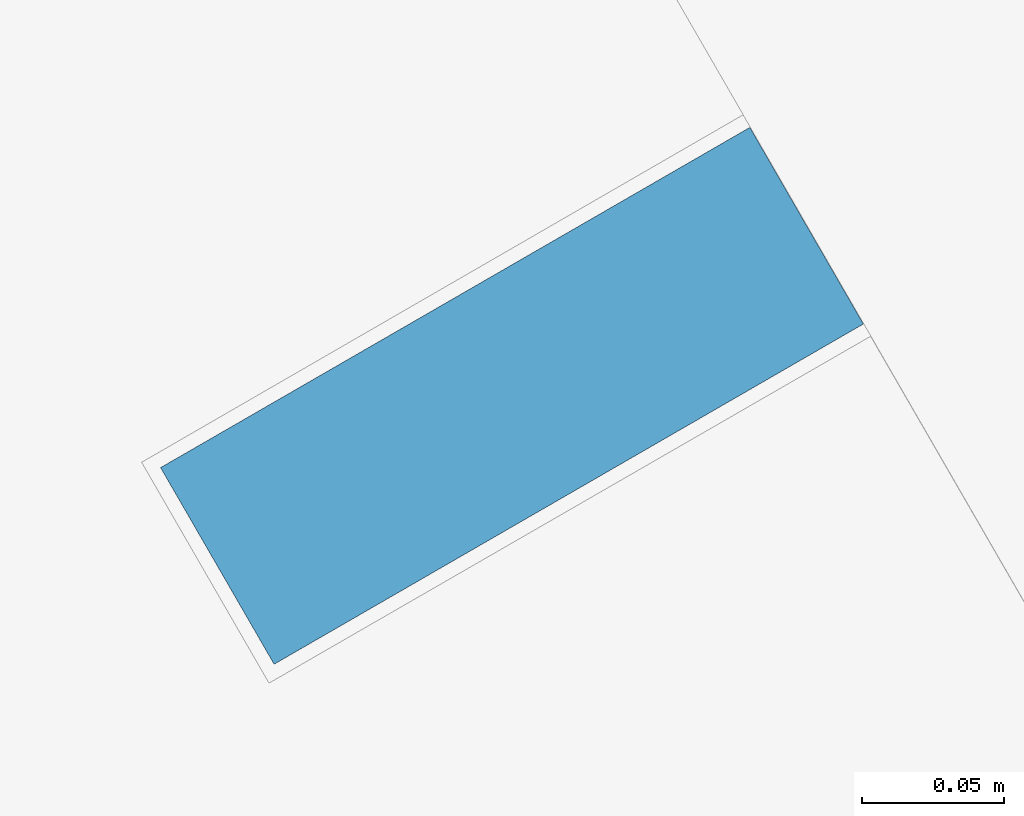
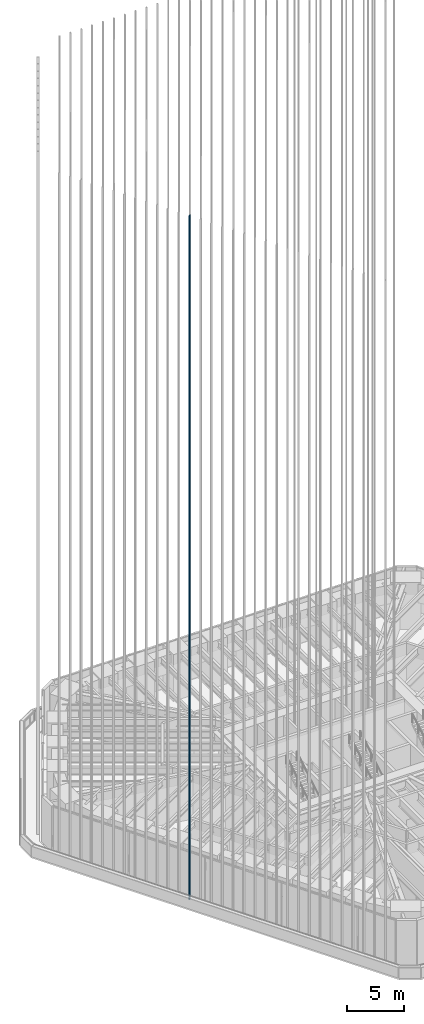
# One storey, part 51 of 228: 1 member, 1 element without a shape of its own.
"""IFC4 building model written with IfcOpenShell, lengths in metres."""

import ifcopenshell
import ifcopenshell.guid

model = None  # the IFC model being written
_history = None  # IfcOwnerHistory: only IFC2X3 demands one
_inside = {}  # id of a spatial element -> (the spatial element, [elements in it])
_under = {}  # id of a project, library or spatial element -> (it, [spatial elements below it])
_declared = {}  # id of a project -> (the project, [libraries it declares])
_typed = {}  # id of a type object -> (the type object, [elements of that type])
_made_of = {}  # id of a material, layer set ... -> (it, [elements and type objects made of it])


def new_model(schema):
    """Start an empty IFC model of exactly this schema.

    Asked for "IFC4X3", IfcOpenShell would pick the latest addendum, in which some entities
    have other attributes; the version numbers below select the first issue.
    IFC2X3 requires an IfcOwnerHistory on every rooted entity: one is made here for all.
    """
    global model, _history
    if schema == "IFC4X3":
        model = ifcopenshell.file(schema_version=(4, 3, 0, 0))
    else:
        model = ifcopenshell.file(schema=schema)
    _inside.clear()
    _under.clear()
    _declared.clear()
    _typed.clear()
    _made_of.clear()
    _history = None
    if model.schema == "IFC2X3":
        org = make("IfcOrganization", Name="unknown")
        user = make(
            "IfcPersonAndOrganization",
            ThePerson=make("IfcPerson", FamilyName="unknown"),
            TheOrganization=org,
        )
        app = make(
            "IfcApplication",
            ApplicationDeveloper=org,
            Version="unknown",
            ApplicationFullName="unknown",
            ApplicationIdentifier="unknown",
        )
        _history = make(
            "IfcOwnerHistory",
            OwningUser=user,
            OwningApplication=app,
            ChangeAction="ADDED",
            CreationDate=0,
        )
    return model


def make(cls, **values):
    """One entity of the class cls with the attributes given. An attribute that is None is left unset."""
    return model.create_entity(
        cls, **{name: value for name, value in values.items() if value is not None}
    )


def rooted(cls, **values):
    """An entity with a GlobalId (a new one), such as an element, a storey or a relation."""
    return make(cls, GlobalId=ifcopenshell.guid.new(), OwnerHistory=_history, **values)


def si_unit(unit_type, name, prefix=None):
    """IfcSIUnit, for example si_unit("LENGTHUNIT", "METRE", prefix="MILLI")."""
    return make("IfcSIUnit", UnitType=unit_type, Prefix=prefix, Name=name)


def assignment(units):
    """IfcUnitAssignment: the units of a project."""
    return None if units is None else make("IfcUnitAssignment", Units=units)


def point(xyz):
    """IfcCartesianPoint."""
    return None if xyz is None else make("IfcCartesianPoint", Coordinates=xyz)


def direction(xyz):
    """IfcDirection."""
    return None if xyz is None else make("IfcDirection", DirectionRatios=xyz)


def frame(location, z_axis=None, x_axis=None):
    """IfcAxis2Placement3D, a coordinate frame: its origin and axes. An axis left out is left unset."""
    return make(
        "IfcAxis2Placement3D",
        Location=point(location),
        Axis=direction(z_axis),
        RefDirection=direction(x_axis),
    )


def frame_2d(location, x_axis=None):
    """IfcAxis2Placement2D, a coordinate frame in the plane: its origin and x axis."""
    return make(
        "IfcAxis2Placement2D", Location=point(location), RefDirection=direction(x_axis)
    )


def origin():
    """The frame at (0, 0, 0) with its axes left unset."""
    return frame((0.0, 0.0, 0.0))


def origin_2d():
    """The frame at (0, 0) in the plane with its x axis left unset."""
    return frame_2d((0.0, 0.0))


def place(relative_to, where):
    """IfcLocalPlacement: puts the frame where relative to a parent placement (None: the world)."""
    return make(
        "IfcLocalPlacement", PlacementRelTo=relative_to, RelativePlacement=where
    )


def context(
    kind, dimensions, precision=None, world=None, true_north=None, identifier=None
):
    """IfcGeometricRepresentationContext, for example the 3D "Model" context."""
    return make(
        "IfcGeometricRepresentationContext",
        ContextIdentifier=identifier,
        ContextType=kind,
        CoordinateSpaceDimension=dimensions,
        Precision=precision,
        WorldCoordinateSystem=world,
        TrueNorth=true_north,
    )


def subcontext(parent, identifier, kind, view, scale=None):
    """IfcGeometricRepresentationSubContext, for example "Body" below "Model"."""
    return make(
        "IfcGeometricRepresentationSubContext",
        ContextIdentifier=identifier,
        ContextType=kind,
        ParentContext=parent,
        TargetScale=scale,
        TargetView=view,
    )


def project(units=None, contexts=None):
    """IfcProject with its units and contexts."""
    return rooted(
        "IfcProject",
        Name="project",
        RepresentationContexts=contexts,
        UnitsInContext=assignment(units),
    )


def spatial(cls, under=None, at=None, **own):
    """A site, building, storey or space (cls), placed at a placement, below another one or the project."""
    s = rooted(cls, ObjectPlacement=at, **own)
    if under is not None:
        _under.setdefault(under.id(), (under, []))[1].append(s)
    return s


def profile(cls, at=None, kind="AREA", **sizes):
    """A parametric profile (cls). Its sizes go by their IFC names, for example OverallWidth=200.0."""
    return make(cls, ProfileType=kind, Position=at, **sizes)


def rectangle(**sizes):
    """IfcRectangleProfileDef."""
    return profile("IfcRectangleProfileDef", **sizes)


def extrude(swept, where, along, depth):
    """IfcExtrudedAreaSolid: the profile swept, set in the frame where, extruded along a direction by depth."""
    return make(
        "IfcExtrudedAreaSolid",
        SweptArea=swept,
        Position=where,
        ExtrudedDirection=direction(along),
        Depth=depth,
    )


def shape(context_of_items, identifier, shape_type, items):
    """IfcShapeRepresentation: the items that make up one representation, for example the "Body"."""
    return make(
        "IfcShapeRepresentation",
        ContextOfItems=context_of_items,
        RepresentationIdentifier=identifier,
        RepresentationType=shape_type,
        Items=items,
    )


def material(Name=None, Category=None):
    """IfcMaterial."""
    return make("IfcMaterial", Name=Name, Category=Category)


def material_profile(
    of_material, cross_section, Name=None, Category=None, Priority=None
):
    """IfcMaterialProfile: a cross section and its material."""
    return make(
        "IfcMaterialProfile",
        Name=Name,
        Material=of_material,
        Profile=cross_section,
        Priority=Priority,
        Category=Category,
    )


def profile_set(profiles, Name=None, composite=None):
    """IfcMaterialProfileSet."""
    return make(
        "IfcMaterialProfileSet",
        Name=Name,
        MaterialProfiles=profiles,
        CompositeProfile=composite,
    )


def made_of(thing, what):
    """Note that an element or type object is made of a material, layer set ...; save() writes the relation."""
    if what is not None:
        _made_of.setdefault(what.id(), (what, []))[1].append(thing)
    return thing


def type_object(cls, material=None, **own):
    """A type object (cls), such as IfcWallType, which elements share."""
    return made_of(rooted(cls, **own), material)


def element(
    cls,
    number,
    at=None,
    inside=None,
    cuts=None,
    type_object=None,
    material=None,
    context=None,
    identifier="Body",
    shape_type=None,
    held_by="IfcProductDefinitionShape",
    body=None,
    shapes=None,
    **own,
):
    """One element of the class cls, such as IfcWall. Its Tag is "e" and its number.

    at: its placement. inside: the storey or other place that contains it. cuts: it is an
    opening in that element (IfcRelVoidsElement). A single representation is given by context,
    identifier, shape_type and body (its items); several are given by shapes. held_by: the class
    of the entity that holds the representations. save() writes the other relations.
    """
    e = rooted(cls, Tag="e%d" % number, ObjectPlacement=at, **own)
    if body is not None:
        shapes = [shape(context, identifier, shape_type, body)]
    if shapes is not None:
        e.Representation = make(held_by, Representations=shapes)
    if inside is not None:
        _inside.setdefault(inside.id(), (inside, []))[1].append(e)
    if cuts is not None:
        rooted(
            "IfcRelVoidsElement", RelatingBuildingElement=cuts, RelatedOpeningElement=e
        )
    if type_object is not None:
        _typed.setdefault(type_object.id(), (type_object, []))[1].append(e)
    return made_of(e, material)


def aggregate(whole, parts):
    """IfcRelAggregates: a whole, such as a stair, and the parts it consists of."""
    return rooted("IfcRelAggregates", RelatingObject=whole, RelatedObjects=parts)


def save(model, path):
    """Write the relations noted so far, then the file.

    IfcRelAggregates (storeys below a building ...), IfcRelContainedInSpatialStructure (elements
    in a storey), IfcRelDefinesByType, IfcRelAssociatesMaterial and IfcRelDeclares: one each for
    every whole, place, type object, material and project.
    """
    for whole, parts in _under.values():
        aggregate(whole, parts)
    for where, things in _inside.values():
        rooted(
            "IfcRelContainedInSpatialStructure",
            RelatedElements=things,
            RelatingStructure=where,
        )
    for kind, things in _typed.values():
        rooted("IfcRelDefinesByType", RelatedObjects=things, RelatingType=kind)
    for what, things in _made_of.values():
        rooted("IfcRelAssociatesMaterial", RelatedObjects=things, RelatingMaterial=what)
    for by, libraries in _declared.values():
        rooted("IfcRelDeclares", RelatingContext=by, RelatedDefinitions=libraries)
    model.write(path)


model = new_model("IFC4")

# Units and contexts
model_context = context("Model", 3, precision=1e-05, world=origin(), true_north=direction((0.0, 1.0)))
body_context = subcontext(model_context, "Body", "Model", "MODEL_VIEW")
ifc_project = project(units=[si_unit("LENGTHUNIT", "METRE"), si_unit("AREAUNIT", "SQUARE_METRE"), si_unit("VOLUMEUNIT", "CUBIC_METRE"), si_unit("PLANEANGLEUNIT", "RADIAN"), si_unit("MASSUNIT", "GRAM", prefix="KILO")], contexts=[model_context])

# Site, building, storey
site_placement = place(None, origin())
site = spatial("IfcSite", under=ifc_project, at=site_placement, CompositionType="ELEMENT")
building_placement = place(site_placement, origin())
building = spatial("IfcBuilding", under=site, at=building_placement, Name="Sandreach Pilgrim Tower", CompositionType="ELEMENT")
storey_placement = place(building_placement, frame((0.0, 0.0, 178.199951171875)))
storey = spatial("IfcBuildingStorey", under=building, at=storey_placement, Name="L44", CompositionType="ELEMENT", Elevation=178.199951171875)

# Curtain wall, member
ifc_material_1 = material(Name="Aluminium framed curtain wall", Category="aluminium")
curtain_wall_type = type_object("IfcCurtainWallType", Name="Upper hotel tower curtain wall", PredefinedType="NOTDEFINED", material=ifc_material_1)
curtain_wall_placement = place(storey_placement, origin())
curtain_wall = element("IfcCurtainWall", 1, at=curtain_wall_placement, inside=storey, type_object=curtain_wall_type, Name="CW-3 L44 SW", PredefinedType="NOTDEFINED")
ifc_material_2 = material(Name="Extruded terracotta on aluminium core", Category="masonry")
ifc_material_profile = material_profile(ifc_material_2, rectangle(XDim=0.080078125, YDim=0.239990234375, at=origin_2d()), Name="TBW 80X240")
ifc_profile_set = profile_set([ifc_material_profile], Name="Extruded terracotta on aluminium core")
member_type = type_object("IfcMemberType", Name="Terracotta baguette west", PredefinedType="USERDEFINED", material=ifc_profile_set)
member_placement = place(storey_placement, frame((-20.342041015625, -7.927001953125, 0.0), z_axis=(0.0, 0.0, 1.0), x_axis=(-0.5, 0.866025403784, 0.0)))
member = element("IfcMember", 2, at=member_placement, type_object=member_type, Name="Baguette Z3 SW19", ObjectType="BAGUETTE", PredefinedType="USERDEFINED", context=body_context, shape_type="SweptSolid", body=[
    extrude(rectangle(XDim=0.080078125, YDim=0.239990234375, at=origin_2d()), origin(), (0.0, 0.0, 1.0), 73.239990234375),
])
aggregate(curtain_wall, [member])

save(model, "model.ifc")
